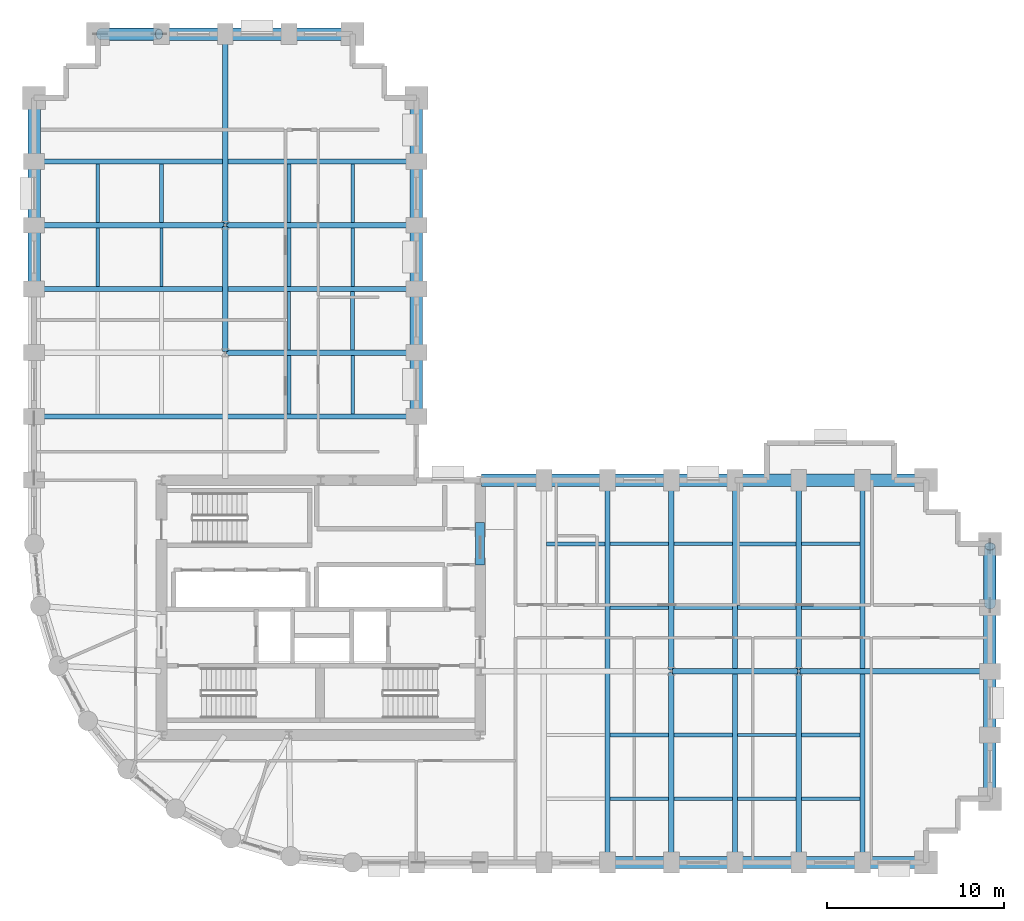
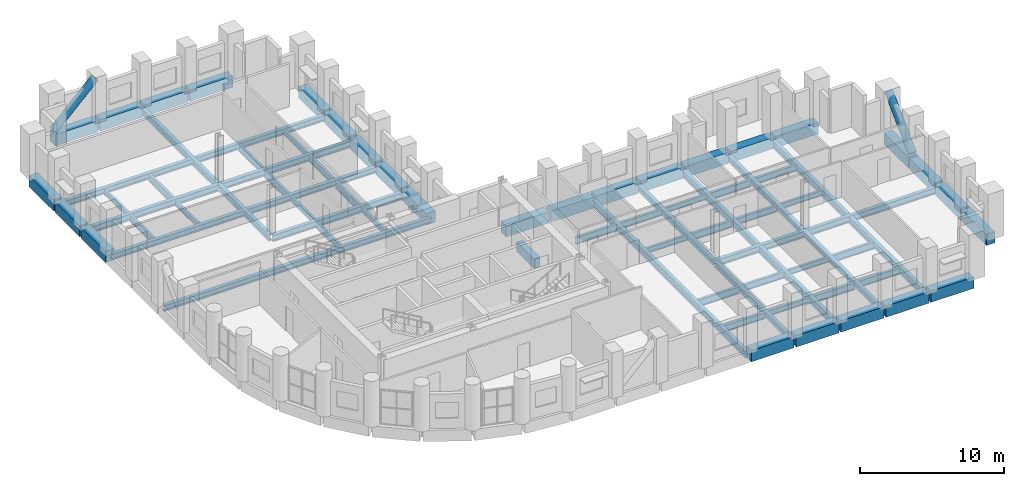
# One storey, part 6 of 13: 75 beams, 2 members.
"""IFC4 building model written with IfcOpenShell, lengths in metres."""

from ifc_helpers import new_model, si_unit, direction, frame, origin, origin_2d, place, context, subcontext, project, spatial, rectangle, hollow_circle, i_section, extrude, material, material_profile, profile_set, type_object, element, save


model = new_model("IFC4")

# Units and contexts
model_context = context("Model", 3, precision=1e-05, world=origin(), true_north=direction((0.0, 1.0)))
body_context = subcontext(model_context, "Body", "Model", "MODEL_VIEW")
ifc_project = project(units=[si_unit("LENGTHUNIT", "METRE"), si_unit("AREAUNIT", "SQUARE_METRE"), si_unit("VOLUMEUNIT", "CUBIC_METRE"), si_unit("PLANEANGLEUNIT", "RADIAN"), si_unit("MASSUNIT", "GRAM", prefix="KILO")], contexts=[model_context])

# Site, building, storey
site_placement = place(None, origin())
site = spatial("IfcSite", under=ifc_project, at=site_placement, CompositionType="ELEMENT")
building_placement = place(site_placement, origin())
building = spatial("IfcBuilding", under=site, at=building_placement, Name="Solnavia Interchange Tower", CompositionType="ELEMENT")
storey_placement = place(building_placement, frame((0.0, 0.0, 39.60009765625)))
storey = spatial("IfcBuildingStorey", under=building, at=storey_placement, Name="L09", CompositionType="ELEMENT", Elevation=39.60009765625)

# Beams
ifc_material_1 = material(Name="Concrete C50/60", Category="concrete")
ifc_material_profile_1 = material_profile(ifc_material_1, rectangle(XDim=0.5, YDim=0.800048828125, at=origin_2d()), Name="RC 500x800")
ifc_profile_set_1 = profile_set([ifc_material_profile_1], Name="Concrete C50/60")
beam_type_1 = type_object("IfcBeamType", Name="Beam-Coupling-RC500x800", PredefinedType="LINTEL", material=ifc_profile_set_1)
beam_1_placement = place(storey_placement, frame((32.39990234375, 20.39990234375, -0.400146484375), z_axis=(0.0, 1.0, 0.0), x_axis=(-1.0, 0.0, 0.0)))
element("IfcBeam", 1, at=beam_1_placement, inside=storey, type_object=beam_type_1, Name="CPB-L09-E2 Core coupling lintel beam", PredefinedType="LINTEL", context=body_context, shape_type="SweptSolid", body=[
    extrude(rectangle(XDim=0.5, YDim=0.800048828125, at=origin_2d()), origin(), (0.0, 0.0, 1.0), 2.400146484375),
])
ifc_material_2 = material(Name="Steel S460", Category="steel")
ifc_material_profile_2 = material_profile(ifc_material_2, i_section(OverallWidth=0.300048828125, OverallDepth=0.550048828125, WebThickness=0.014892578125, FlangeThickness=0.029052734375, FilletRadius=0.027099609375, at=origin_2d()), Name="HEB 550")
ifc_profile_set_2 = profile_set([ifc_material_profile_2], Name="Steel S460")
beam_type_2 = type_object("IfcBeamType", Name="Beam-Girder-HEB550", PredefinedType="BEAM", material=ifc_profile_set_2)
beam_2_placement = place(storey_placement, frame((43.280029296875, 14.39990234375, -0.525146484375), z_axis=(1.0, 0.0, 0.0), x_axis=(0.0, 1.0, 0.0)))
element("IfcBeam", 2, at=beam_2_placement, inside=storey, type_object=beam_type_2, Name="GRD-L09-ES02 East wing spine girder", PredefinedType="BEAM", context=body_context, shape_type="SweptSolid", body=[
    extrude(i_section(OverallWidth=0.300048828125, OverallDepth=0.550048828125, WebThickness=0.014892578125, FlangeThickness=0.029052734375, FilletRadius=0.027099609375, at=origin_2d()), origin(), (0.0, 0.0, 1.0), 7.0400390625),
])
beam_3_placement = place(storey_placement, frame((50.47998046875, 14.39990234375, -0.525146484375), z_axis=(1.0, 0.0, 0.0), x_axis=(0.0, 1.0, 0.0)))
element("IfcBeam", 3, at=beam_3_placement, inside=storey, type_object=beam_type_2, Name="GRD-L09-ES03 East wing spine girder", PredefinedType="BEAM", context=body_context, shape_type="SweptSolid", body=[
    extrude(i_section(OverallWidth=0.300048828125, OverallDepth=0.550048828125, WebThickness=0.014892578125, FlangeThickness=0.029052734375, FilletRadius=0.027099609375, at=origin_2d()), origin(), (0.0, 0.0, 1.0), 10.64013671875),
])
beam_4_placement = place(storey_placement, frame((18.0, 32.47998046875, -0.525146484375), z_axis=(0.0, 1.0, 0.0), x_axis=(-1.0, 0.0, 0.0)))
element("IfcBeam", 4, at=beam_4_placement, inside=storey, type_object=beam_type_2, Name="GRD-L09-NS13 North wing spine girder", PredefinedType="BEAM", context=body_context, shape_type="SweptSolid", body=[
    extrude(i_section(OverallWidth=0.300048828125, OverallDepth=0.550048828125, WebThickness=0.014892578125, FlangeThickness=0.029052734375, FilletRadius=0.027099609375, at=origin_2d()), origin(), (0.0, 0.0, 1.0), 7.0400390625),
])
beam_5_placement = place(storey_placement, frame((18.0, 39.679931640625, -0.525146484375), z_axis=(0.0, 1.0, 0.0), x_axis=(-1.0, 0.0, 0.0)))
element("IfcBeam", 5, at=beam_5_placement, inside=storey, type_object=beam_type_2, Name="GRD-L09-NS14 North wing spine girder", PredefinedType="BEAM", context=body_context, shape_type="SweptSolid", body=[
    extrude(i_section(OverallWidth=0.300048828125, OverallDepth=0.550048828125, WebThickness=0.014892578125, FlangeThickness=0.029052734375, FilletRadius=0.027099609375, at=origin_2d()), origin(), (0.0, 0.0, 1.0), 10.64013671875),
])
for number, where, z_axis, x_axis, name in (
    (6, (18.080078125, 32.39990234375, -0.525146484375), (1.0, 0.0, 0.0), (0.0, 1.0, 0.0), "GRD-L09-NW17 North wing primary floor girder"),
    (7, (7.280029296875, 39.60009765625, -0.525146484375), (1.0, 0.0, 0.0), (0.0, 1.0, 0.0), "GRD-L09-NW19 North wing primary floor girder"),
    (8, (18.080078125, 39.60009765625, -0.525146484375), (1.0, 0.0, 0.0), (0.0, 1.0, 0.0), "GRD-L09-NW20 North wing primary floor girder"),
):
    element("IfcBeam", number, at=place(storey_placement, frame(where, z_axis=z_axis, x_axis=x_axis)), inside=storey, type_object=beam_type_2, Name=name, PredefinedType="BEAM", context=body_context, shape_type="SweptSolid", body=[
        extrude(i_section(OverallWidth=0.300048828125, OverallDepth=0.550048828125, WebThickness=0.014892578125, FlangeThickness=0.029052734375, FilletRadius=0.027099609375, at=origin_2d()), origin(), (0.0, 0.0, 1.0), 10.639892578125),
    ])
ifc_material_3 = material(Name="Steel S355", Category="steel")
ifc_material_profile_3 = material_profile(ifc_material_3, i_section(OverallWidth=0.18994140625, OverallDepth=0.449951171875, WebThickness=0.009521484375, FlangeThickness=0.0146484375, FilletRadius=0.02099609375, at=origin_2d()), Name="IPE 450")
ifc_profile_set_3 = profile_set([ifc_material_profile_3], Name="Steel S355")
beam_type_3 = type_object("IfcBeamType", Name="Beam-Joist-IPE450", PredefinedType="JOIST", material=ifc_profile_set_3)
beam_6_placement = place(storey_placement, frame((43.35009765625, 7.199951171875, -0.47509765625), z_axis=(1.0, 0.0, 0.0), x_axis=(0.0, 1.0, 0.0)))
element("IfcBeam", 9, at=beam_6_placement, inside=storey, type_object=beam_type_3, Name="JST-L09-E03 East wing secondary joist", PredefinedType="JOIST", context=body_context, shape_type="SweptSolid", body=[
    extrude(i_section(OverallWidth=0.18994140625, OverallDepth=0.449951171875, WebThickness=0.009521484375, FlangeThickness=0.0146484375, FilletRadius=0.02099609375, at=origin_2d()), origin(), (0.0, 0.0, 1.0), 3.2998046875),
])
for number, where, z_axis, x_axis, name in (
    (10, (46.949951171875, 10.800048828125, -0.47509765625), (1.0, 0.0, 0.0), (0.0, 1.0, 0.0), "JST-L09-E09 East wing secondary joist"),
    (11, (39.75, 18.0, -0.47509765625), (1.0, 0.0, 0.0), (0.0, 1.0, 0.0), "JST-L09-E12 East wing secondary joist"),
    (12, (50.550048828125, 18.0, -0.47509765625), (1.0, 0.0, 0.0), (0.0, 1.0, 0.0), "JST-L09-E15 East wing secondary joist"),
):
    element("IfcBeam", number, at=place(storey_placement, frame(where, z_axis=z_axis, x_axis=x_axis)), inside=storey, type_object=beam_type_3, Name=name, PredefinedType="JOIST", context=body_context, shape_type="SweptSolid", body=[
        extrude(i_section(OverallWidth=0.18994140625, OverallDepth=0.449951171875, WebThickness=0.009521484375, FlangeThickness=0.0146484375, FilletRadius=0.02099609375, at=origin_2d()), origin(), (0.0, 0.0, 1.0), 3.300048828125),
    ])
beam_7_placement = place(storey_placement, frame((43.35009765625, 21.60009765625, -0.47509765625), z_axis=(1.0, 0.0, 0.0), x_axis=(0.0, 1.0, 0.0)))
element("IfcBeam", 13, at=beam_7_placement, inside=storey, type_object=beam_type_3, Name="JST-L09-E18 East wing secondary joist", PredefinedType="JOIST", context=body_context, shape_type="SweptSolid", body=[
    extrude(i_section(OverallWidth=0.18994140625, OverallDepth=0.449951171875, WebThickness=0.009521484375, FlangeThickness=0.0146484375, FilletRadius=0.02099609375, at=origin_2d()), origin(), (0.0, 0.0, 1.0), 3.2998046875),
])
for number, where, z_axis, x_axis, name in (
    (14, (10.800048828125, 39.75, -0.47509765625), (0.0, 1.0, 0.0), (-1.0, 0.0, 0.0), "JST-L09-N24 North wing secondary joist"),
    (15, (14.39990234375, 36.14990234375, -0.47509765625), (0.0, 1.0, 0.0), (-1.0, 0.0, 0.0), "JST-L09-N27 North wing secondary joist"),
    (16, (21.60009765625, 32.550048828125, -0.47509765625), (0.0, 1.0, 0.0), (-1.0, 0.0, 0.0), "JST-L09-N30 North wing secondary joist"),
    (17, (25.199951171875, 28.949951171875, -0.47509765625), (0.0, 1.0, 0.0), (-1.0, 0.0, 0.0), "JST-L09-N33 North wing secondary joist"),
    (18, (25.199951171875, 39.75, -0.47509765625), (0.0, 1.0, 0.0), (-1.0, 0.0, 0.0), "JST-L09-N36 North wing secondary joist"),
):
    element("IfcBeam", number, at=place(storey_placement, frame(where, z_axis=z_axis, x_axis=x_axis)), inside=storey, type_object=beam_type_3, Name=name, PredefinedType="JOIST", context=body_context, shape_type="SweptSolid", body=[
        extrude(i_section(OverallWidth=0.18994140625, OverallDepth=0.449951171875, WebThickness=0.009521484375, FlangeThickness=0.0146484375, FilletRadius=0.02099609375, at=origin_2d()), origin(), (0.0, 0.0, 1.0), 3.300048828125),
    ])
ifc_material_profile_4 = material_profile(ifc_material_3, i_section(OverallWidth=0.2099609375, OverallDepth=0.550048828125, WebThickness=0.010986328125, FlangeThickness=0.01708984375, FilletRadius=0.02392578125, at=origin_2d()), Name="IPE 550")
ifc_profile_set_4 = profile_set([ifc_material_profile_4], Name="Steel S355")
beam_type_4 = type_object("IfcBeamType", Name="Beam-Joist-IPE550", PredefinedType="JOIST", material=ifc_profile_set_4)
for number, where, z_axis, x_axis, name in (
    (19, (39.75, 7.199951171875, -0.525146484375), (1.0, 0.0, 0.0), (0.0, 1.0, 0.0), "JST-L09-E02 East wing secondary joist"),
    (20, (50.550048828125, 7.199951171875, -0.525146484375), (1.0, 0.0, 0.0), (0.0, 1.0, 0.0), "JST-L09-E05 East wing secondary joist"),
):
    element("IfcBeam", number, at=place(storey_placement, frame(where, z_axis=z_axis, x_axis=x_axis)), inside=storey, type_object=beam_type_4, Name=name, PredefinedType="JOIST", context=body_context, shape_type="SweptSolid", body=[
        extrude(i_section(OverallWidth=0.2099609375, OverallDepth=0.550048828125, WebThickness=0.010986328125, FlangeThickness=0.01708984375, FilletRadius=0.02392578125, at=origin_2d()), origin(), (0.0, 0.0, 1.0), 3.300048828125),
    ])
beam_8_placement = place(storey_placement, frame((43.35009765625, 10.800048828125, -0.525146484375), z_axis=(1.0, 0.0, 0.0), x_axis=(0.0, 1.0, 0.0)))
element("IfcBeam", 21, at=beam_8_placement, inside=storey, type_object=beam_type_4, Name="JST-L09-E08 East wing secondary joist", PredefinedType="JOIST", context=body_context, shape_type="SweptSolid", body=[
    extrude(i_section(OverallWidth=0.2099609375, OverallDepth=0.550048828125, WebThickness=0.010986328125, FlangeThickness=0.01708984375, FilletRadius=0.02392578125, at=origin_2d()), origin(), (0.0, 0.0, 1.0), 3.2998046875),
])
for number, where, z_axis, x_axis, name in (
    (22, (46.949951171875, 18.0, -0.525146484375), (1.0, 0.0, 0.0), (0.0, 1.0, 0.0), "JST-L09-E14 East wing secondary joist"),
    (23, (39.75, 21.60009765625, -0.525146484375), (1.0, 0.0, 0.0), (0.0, 1.0, 0.0), "JST-L09-E17 East wing secondary joist"),
    (24, (50.550048828125, 21.60009765625, -0.525146484375), (1.0, 0.0, 0.0), (0.0, 1.0, 0.0), "JST-L09-E20 East wing secondary joist"),
    (25, (10.800048828125, 36.14990234375, -0.525146484375), (0.0, 1.0, 0.0), (-1.0, 0.0, 0.0), "JST-L09-N23 North wing secondary joist"),
    (26, (21.60009765625, 28.949951171875, -0.525146484375), (0.0, 1.0, 0.0), (-1.0, 0.0, 0.0), "JST-L09-N29 North wing secondary joist"),
    (27, (21.60009765625, 39.75, -0.525146484375), (0.0, 1.0, 0.0), (-1.0, 0.0, 0.0), "JST-L09-N32 North wing secondary joist"),
    (28, (25.199951171875, 36.14990234375, -0.525146484375), (0.0, 1.0, 0.0), (-1.0, 0.0, 0.0), "JST-L09-N35 North wing secondary joist"),
):
    element("IfcBeam", number, at=place(storey_placement, frame(where, z_axis=z_axis, x_axis=x_axis)), inside=storey, type_object=beam_type_4, Name=name, PredefinedType="JOIST", context=body_context, shape_type="SweptSolid", body=[
        extrude(i_section(OverallWidth=0.2099609375, OverallDepth=0.550048828125, WebThickness=0.010986328125, FlangeThickness=0.01708984375, FilletRadius=0.02392578125, at=origin_2d()), origin(), (0.0, 0.0, 1.0), 3.300048828125),
    ])
ifc_material_profile_5 = material_profile(ifc_material_3, i_section(OverallWidth=0.219970703125, OverallDepth=0.60009765625, WebThickness=0.011962890625, FlangeThickness=0.01904296875, FilletRadius=0.02392578125, at=origin_2d()), Name="IPE 600")
ifc_profile_set_5 = profile_set([ifc_material_profile_5], Name="Steel S355")
beam_type_5 = type_object("IfcBeamType", Name="Beam-Joist-IPE600", PredefinedType="JOIST", material=ifc_profile_set_5)
for number, where, z_axis, x_axis, name in (
    (29, (46.949951171875, 7.199951171875, -0.550048828125), (1.0, 0.0, 0.0), (0.0, 1.0, 0.0), "JST-L09-E04 East wing secondary joist"),
    (30, (39.75, 10.800048828125, -0.550048828125), (1.0, 0.0, 0.0), (0.0, 1.0, 0.0), "JST-L09-E07 East wing secondary joist"),
    (31, (50.550048828125, 10.800048828125, -0.550048828125), (1.0, 0.0, 0.0), (0.0, 1.0, 0.0), "JST-L09-E10 East wing secondary joist"),
):
    element("IfcBeam", number, at=place(storey_placement, frame(where, z_axis=z_axis, x_axis=x_axis)), inside=storey, type_object=beam_type_5, Name=name, PredefinedType="JOIST", context=body_context, shape_type="SweptSolid", body=[
        extrude(i_section(OverallWidth=0.219970703125, OverallDepth=0.60009765625, WebThickness=0.011962890625, FlangeThickness=0.01904296875, FilletRadius=0.02392578125, at=origin_2d()), origin(), (0.0, 0.0, 1.0), 3.300048828125),
    ])
beam_9_placement = place(storey_placement, frame((43.35009765625, 18.0, -0.550048828125), z_axis=(1.0, 0.0, 0.0), x_axis=(0.0, 1.0, 0.0)))
element("IfcBeam", 32, at=beam_9_placement, inside=storey, type_object=beam_type_5, Name="JST-L09-E13 East wing secondary joist", PredefinedType="JOIST", context=body_context, shape_type="SweptSolid", body=[
    extrude(i_section(OverallWidth=0.219970703125, OverallDepth=0.60009765625, WebThickness=0.011962890625, FlangeThickness=0.01904296875, FilletRadius=0.02392578125, at=origin_2d()), origin(), (0.0, 0.0, 1.0), 3.2998046875),
])
for number, where, z_axis, x_axis, name in (
    (33, (36.14990234375, 21.60009765625, -0.550048828125), (1.0, 0.0, 0.0), (0.0, 1.0, 0.0), "JST-L09-E16 East wing secondary joist"),
    (34, (46.949951171875, 21.60009765625, -0.550048828125), (1.0, 0.0, 0.0), (0.0, 1.0, 0.0), "JST-L09-E19 East wing secondary joist"),
    (35, (14.39990234375, 39.75, -0.550048828125), (0.0, 1.0, 0.0), (-1.0, 0.0, 0.0), "JST-L09-N28 North wing secondary joist"),
    (36, (21.60009765625, 36.14990234375, -0.550048828125), (0.0, 1.0, 0.0), (-1.0, 0.0, 0.0), "JST-L09-N31 North wing secondary joist"),
    (37, (25.199951171875, 32.550048828125, -0.550048828125), (0.0, 1.0, 0.0), (-1.0, 0.0, 0.0), "JST-L09-N34 North wing secondary joist"),
):
    element("IfcBeam", number, at=place(storey_placement, frame(where, z_axis=z_axis, x_axis=x_axis)), inside=storey, type_object=beam_type_5, Name=name, PredefinedType="JOIST", context=body_context, shape_type="SweptSolid", body=[
        extrude(i_section(OverallWidth=0.219970703125, OverallDepth=0.60009765625, WebThickness=0.011962890625, FlangeThickness=0.01904296875, FilletRadius=0.02392578125, at=origin_2d()), origin(), (0.0, 0.0, 1.0), 3.300048828125),
    ])
ifc_material_profile_6 = material_profile(ifc_material_3, i_section(OverallWidth=0.300048828125, OverallDepth=0.489990234375, WebThickness=0.011962890625, FlangeThickness=0.02294921875, FilletRadius=0.027099609375, at=origin_2d()), Name="HEA 500")
ifc_profile_set_6 = profile_set([ifc_material_profile_6], Name="Steel S355")
beam_type_6 = type_object("IfcBeamType", Name="Beam-Primary-HEA500", PredefinedType="BEAM", material=ifc_profile_set_6)
for number, where, z_axis, x_axis, name in (
    (38, (43.199951171875, 3.679931640625, -0.4951171875), (0.0, 1.0, 0.0), (-1.0, 0.0, 0.0), "GRD-L09-EW06 East wing primary floor girder"),
    (39, (43.199951171875, 14.47998046875, -0.4951171875), (0.0, 1.0, 0.0), (-1.0, 0.0, 0.0), "GRD-L09-EW07 East wing primary floor girder"),
    (40, (50.39990234375, 3.679931640625, -0.4951171875), (0.0, 1.0, 0.0), (-1.0, 0.0, 0.0), "GRD-L09-EW09 East wing primary floor girder"),
    (41, (50.39990234375, 14.47998046875, -0.4951171875), (0.0, 1.0, 0.0), (-1.0, 0.0, 0.0), "GRD-L09-EW10 East wing primary floor girder"),
):
    element("IfcBeam", number, at=place(storey_placement, frame(where, z_axis=z_axis, x_axis=x_axis)), inside=storey, type_object=beam_type_6, Name=name, PredefinedType="BEAM", context=body_context, shape_type="SweptSolid", body=[
        extrude(i_section(OverallWidth=0.300048828125, OverallDepth=0.489990234375, WebThickness=0.011962890625, FlangeThickness=0.02294921875, FilletRadius=0.027099609375, at=origin_2d()), origin(), (0.0, 0.0, 1.0), 10.64013671875),
    ])
for number, where, z_axis, x_axis, name in (
    (42, (7.280029296875, 28.800048828125, -0.4951171875), (1.0, 0.0, 0.0), (0.0, 1.0, 0.0), "GRD-L09-NW15 North wing primary floor girder"),
    (43, (7.280029296875, 36.0, -0.4951171875), (1.0, 0.0, 0.0), (0.0, 1.0, 0.0), "GRD-L09-NW18 North wing primary floor girder"),
    (44, (7.280029296875, 43.199951171875, -0.4951171875), (1.0, 0.0, 0.0), (0.0, 1.0, 0.0), "GRD-L09-NW21 North wing primary floor girder"),
):
    element("IfcBeam", number, at=place(storey_placement, frame(where, z_axis=z_axis, x_axis=x_axis)), inside=storey, type_object=beam_type_6, Name=name, PredefinedType="BEAM", context=body_context, shape_type="SweptSolid", body=[
        extrude(i_section(OverallWidth=0.300048828125, OverallDepth=0.489990234375, WebThickness=0.011962890625, FlangeThickness=0.02294921875, FilletRadius=0.027099609375, at=origin_2d()), origin(), (0.0, 0.0, 1.0), 21.43994140625),
    ])
ifc_material_profile_7 = material_profile(ifc_material_3, i_section(OverallWidth=0.300048828125, OverallDepth=0.590087890625, WebThickness=0.012939453125, FlangeThickness=0.02490234375, FilletRadius=0.027099609375, at=origin_2d()), Name="HEA 600")
ifc_profile_set_7 = profile_set([ifc_material_profile_7], Name="Steel S355")
beam_type_7 = type_object("IfcBeamType", Name="Beam-Primary-HEA600", PredefinedType="BEAM", material=ifc_profile_set_7)
for number, where, z_axis, x_axis, name in (
    (45, (39.60009765625, 3.679931640625, -0.545166015625), (0.0, 1.0, 0.0), (-1.0, 0.0, 0.0), "GRD-L09-EW05 East wing primary floor girder"),
    (46, (46.800048828125, 3.679931640625, -0.545166015625), (0.0, 1.0, 0.0), (-1.0, 0.0, 0.0), "GRD-L09-EW08 East wing primary floor girder"),
    (47, (54.0, 3.679931640625, -0.545166015625), (0.0, 1.0, 0.0), (-1.0, 0.0, 0.0), "GRD-L09-EW11 East wing primary floor girder"),
):
    element("IfcBeam", number, at=place(storey_placement, frame(where, z_axis=z_axis, x_axis=x_axis)), inside=storey, type_object=beam_type_7, Name=name, PredefinedType="BEAM", context=body_context, shape_type="SweptSolid", body=[
        extrude(i_section(OverallWidth=0.300048828125, OverallDepth=0.590087890625, WebThickness=0.012939453125, FlangeThickness=0.02490234375, FilletRadius=0.027099609375, at=origin_2d()), origin(), (0.0, 0.0, 1.0), 21.440185546875),
    ])
ifc_material_profile_8 = material_profile(ifc_material_1, rectangle(XDim=0.699951171875, YDim=0.949951171875, at=origin_2d()), Name="RC 700x950")
ifc_profile_set_8 = profile_set([ifc_material_profile_8], Name="Concrete C50/60")
beam_type_8 = type_object("IfcBeamType", Name="Beam-Spandrel-RC700x950", PredefinedType="SPANDREL", material=ifc_profile_set_8)
beam_10_placement = place(storey_placement, frame((39.679931640625, 3.60009765625, -0.47509765625), z_axis=(1.0, 0.0, 0.0), x_axis=(0.0, 1.0, 0.0)))
element("IfcBeam", 48, at=beam_10_placement, inside=storey, type_object=beam_type_8, Name="SPB-L09-13 Framed-tube perimeter spandrel beam", PredefinedType="SPANDREL", context=body_context, shape_type="SweptSolid", body=[
    extrude(rectangle(XDim=0.699951171875, YDim=0.949951171875, at=origin_2d()), origin(), (0.0, 0.0, 1.0), 3.440185546875),
])
beam_11_placement = place(storey_placement, frame((43.280029296875, 3.60009765625, -0.47509765625), z_axis=(1.0, 0.0, 0.0), x_axis=(0.0, 1.0, 0.0)))
element("IfcBeam", 49, at=beam_11_placement, inside=storey, type_object=beam_type_8, Name="SPB-L09-14 Framed-tube perimeter spandrel beam", PredefinedType="SPANDREL", context=body_context, shape_type="SweptSolid", body=[
    extrude(rectangle(XDim=0.699951171875, YDim=0.949951171875, at=origin_2d()), origin(), (0.0, 0.0, 1.0), 3.43994140625),
])
beam_12_placement = place(storey_placement, frame((46.8798828125, 3.60009765625, -0.47509765625), z_axis=(1.0, 0.0, 0.0), x_axis=(0.0, 1.0, 0.0)))
element("IfcBeam", 50, at=beam_12_placement, inside=storey, type_object=beam_type_8, Name="SPB-L09-15 Framed-tube perimeter spandrel beam", PredefinedType="SPANDREL", context=body_context, shape_type="SweptSolid", body=[
    extrude(rectangle(XDim=0.699951171875, YDim=0.949951171875, at=origin_2d()), origin(), (0.0, 0.0, 1.0), 3.440185546875),
])
for number, where, z_axis, x_axis, name in (
    (51, (50.47998046875, 3.60009765625, -0.47509765625), (1.0, 0.0, 0.0), (0.0, 1.0, 0.0), "SPB-L09-16 Framed-tube perimeter spandrel beam"),
    (52, (54.080078125, 3.60009765625, -0.47509765625), (1.0, 0.0, 0.0), (0.0, 1.0, 0.0), "SPB-L09-17 Framed-tube perimeter spandrel beam"),
    (53, (61.199951171875, 7.280029296875, -0.47509765625), (0.0, 1.0, 0.0), (-1.0, 0.0, 0.0), "SPB-L09-18 Framed-tube perimeter spandrel beam"),
):
    element("IfcBeam", number, at=place(storey_placement, frame(where, z_axis=z_axis, x_axis=x_axis)), inside=storey, type_object=beam_type_8, Name=name, PredefinedType="SPANDREL", context=body_context, shape_type="SweptSolid", body=[
        extrude(rectangle(XDim=0.699951171875, YDim=0.949951171875, at=origin_2d()), origin(), (0.0, 0.0, 1.0), 3.43994140625),
    ])
beam_13_placement = place(storey_placement, frame((61.199951171875, 10.8798828125, -0.47509765625), z_axis=(0.0, 1.0, 0.0), x_axis=(-1.0, 0.0, 0.0)))
element("IfcBeam", 54, at=beam_13_placement, inside=storey, type_object=beam_type_8, Name="SPB-L09-19 Framed-tube perimeter spandrel beam", PredefinedType="SPANDREL", context=body_context, shape_type="SweptSolid", body=[
    extrude(rectangle(XDim=0.699951171875, YDim=0.949951171875, at=origin_2d()), origin(), (0.0, 0.0, 1.0), 3.440185546875),
])
for number, where, z_axis, x_axis, name in (
    (55, (61.199951171875, 14.47998046875, -0.47509765625), (0.0, 1.0, 0.0), (-1.0, 0.0, 0.0), "SPB-L09-20 Framed-tube perimeter spandrel beam"),
    (56, (61.199951171875, 18.080078125, -0.47509765625), (0.0, 1.0, 0.0), (-1.0, 0.0, 0.0), "SPB-L09-21 Framed-tube perimeter spandrel beam"),
    (57, (57.52001953125, 25.199951171875, -0.47509765625), (-1.0, 0.0, 0.0), (0.0, -1.0, 0.0), "SPB-L09-22 Framed-tube perimeter spandrel beam"),
    (58, (53.919921875, 25.199951171875, -0.47509765625), (-1.0, 0.0, 0.0), (0.0, -1.0, 0.0), "SPB-L09-23 Framed-tube perimeter spandrel beam"),
):
    element("IfcBeam", number, at=place(storey_placement, frame(where, z_axis=z_axis, x_axis=x_axis)), inside=storey, type_object=beam_type_8, Name=name, PredefinedType="SPANDREL", context=body_context, shape_type="SweptSolid", body=[
        extrude(rectangle(XDim=0.699951171875, YDim=0.949951171875, at=origin_2d()), origin(), (0.0, 0.0, 1.0), 3.43994140625),
    ])
beam_14_placement = place(storey_placement, frame((50.320068359375, 25.199951171875, -0.47509765625), z_axis=(-1.0, 0.0, 0.0), x_axis=(0.0, -1.0, 0.0)))
element("IfcBeam", 59, at=beam_14_placement, inside=storey, type_object=beam_type_8, Name="SPB-L09-24 Framed-tube perimeter spandrel beam", PredefinedType="SPANDREL", context=body_context, shape_type="SweptSolid", body=[
    extrude(rectangle(XDim=0.699951171875, YDim=0.949951171875, at=origin_2d()), origin(), (0.0, 0.0, 1.0), 3.440185546875),
])
beam_15_placement = place(storey_placement, frame((46.719970703125, 25.199951171875, -0.47509765625), z_axis=(-1.0, 0.0, 0.0), x_axis=(0.0, -1.0, 0.0)))
element("IfcBeam", 60, at=beam_15_placement, inside=storey, type_object=beam_type_8, Name="SPB-L09-25 Framed-tube perimeter spandrel beam", PredefinedType="SPANDREL", context=body_context, shape_type="SweptSolid", body=[
    extrude(rectangle(XDim=0.699951171875, YDim=0.949951171875, at=origin_2d()), origin(), (0.0, 0.0, 1.0), 3.43994140625),
])
beam_16_placement = place(storey_placement, frame((43.1201171875, 25.199951171875, -0.47509765625), z_axis=(-1.0, 0.0, 0.0), x_axis=(0.0, -1.0, 0.0)))
element("IfcBeam", 61, at=beam_16_placement, inside=storey, type_object=beam_type_8, Name="SPB-L09-26 Framed-tube perimeter spandrel beam", PredefinedType="SPANDREL", context=body_context, shape_type="SweptSolid", body=[
    extrude(rectangle(XDim=0.699951171875, YDim=0.949951171875, at=origin_2d()), origin(), (0.0, 0.0, 1.0), 3.440185546875),
])
for number, where, z_axis, x_axis, name in (
    (62, (39.52001953125, 25.199951171875, -0.47509765625), (-1.0, 0.0, 0.0), (0.0, -1.0, 0.0), "SPB-L09-27 Framed-tube perimeter spandrel beam"),
    (63, (35.919921875, 25.199951171875, -0.47509765625), (-1.0, 0.0, 0.0), (0.0, -1.0, 0.0), "SPB-L09-28 Framed-tube perimeter spandrel beam"),
):
    element("IfcBeam", number, at=place(storey_placement, frame(where, z_axis=z_axis, x_axis=x_axis)), inside=storey, type_object=beam_type_8, Name=name, PredefinedType="SPANDREL", context=body_context, shape_type="SweptSolid", body=[
        extrude(rectangle(XDim=0.699951171875, YDim=0.949951171875, at=origin_2d()), origin(), (0.0, 0.0, 1.0), 3.43994140625),
    ])
beam_17_placement = place(storey_placement, frame((28.800048828125, 28.8798828125, -0.47509765625), z_axis=(0.0, 1.0, 0.0), x_axis=(-1.0, 0.0, 0.0)))
element("IfcBeam", 64, at=beam_17_placement, inside=storey, type_object=beam_type_8, Name="SPB-L09-29 Framed-tube perimeter spandrel beam", PredefinedType="SPANDREL", context=body_context, shape_type="SweptSolid", body=[
    extrude(rectangle(XDim=0.699951171875, YDim=0.949951171875, at=origin_2d()), origin(), (0.0, 0.0, 1.0), 3.440185546875),
])
for number, where, z_axis, x_axis, name in (
    (65, (28.800048828125, 32.47998046875, -0.47509765625), (0.0, 1.0, 0.0), (-1.0, 0.0, 0.0), "SPB-L09-30 Framed-tube perimeter spandrel beam"),
    (66, (28.800048828125, 36.080078125, -0.47509765625), (0.0, 1.0, 0.0), (-1.0, 0.0, 0.0), "SPB-L09-31 Framed-tube perimeter spandrel beam"),
):
    element("IfcBeam", number, at=place(storey_placement, frame(where, z_axis=z_axis, x_axis=x_axis)), inside=storey, type_object=beam_type_8, Name=name, PredefinedType="SPANDREL", context=body_context, shape_type="SweptSolid", body=[
        extrude(rectangle(XDim=0.699951171875, YDim=0.949951171875, at=origin_2d()), origin(), (0.0, 0.0, 1.0), 3.43994140625),
    ])
beam_18_placement = place(storey_placement, frame((28.800048828125, 39.679931640625, -0.47509765625), z_axis=(0.0, 1.0, 0.0), x_axis=(-1.0, 0.0, 0.0)))
element("IfcBeam", 67, at=beam_18_placement, inside=storey, type_object=beam_type_8, Name="SPB-L09-32 Framed-tube perimeter spandrel beam", PredefinedType="SPANDREL", context=body_context, shape_type="SweptSolid", body=[
    extrude(rectangle(XDim=0.699951171875, YDim=0.949951171875, at=origin_2d()), origin(), (0.0, 0.0, 1.0), 3.440185546875),
])
beam_19_placement = place(storey_placement, frame((28.800048828125, 43.280029296875, -0.47509765625), z_axis=(0.0, 1.0, 0.0), x_axis=(-1.0, 0.0, 0.0)))
element("IfcBeam", 68, at=beam_19_placement, inside=storey, type_object=beam_type_8, Name="SPB-L09-33 Framed-tube perimeter spandrel beam", PredefinedType="SPANDREL", context=body_context, shape_type="SweptSolid", body=[
    extrude(rectangle(XDim=0.699951171875, YDim=0.949951171875, at=origin_2d()), origin(), (0.0, 0.0, 1.0), 3.43994140625),
])
beam_20_placement = place(storey_placement, frame((25.1201171875, 50.39990234375, -0.47509765625), z_axis=(-1.0, 0.0, 0.0), x_axis=(0.0, -1.0, 0.0)))
element("IfcBeam", 69, at=beam_20_placement, inside=storey, type_object=beam_type_8, Name="SPB-L09-34 Framed-tube perimeter spandrel beam", PredefinedType="SPANDREL", context=body_context, shape_type="SweptSolid", body=[
    extrude(rectangle(XDim=0.699951171875, YDim=0.949951171875, at=origin_2d()), origin(), (0.0, 0.0, 1.0), 3.440185546875),
])
for number, where, z_axis, x_axis, name in (
    (70, (21.52001953125, 50.39990234375, -0.47509765625), (-1.0, 0.0, 0.0), (0.0, -1.0, 0.0), "SPB-L09-35 Framed-tube perimeter spandrel beam"),
    (71, (17.919921875, 50.39990234375, -0.47509765625), (-1.0, 0.0, 0.0), (0.0, -1.0, 0.0), "SPB-L09-36 Framed-tube perimeter spandrel beam"),
):
    element("IfcBeam", number, at=place(storey_placement, frame(where, z_axis=z_axis, x_axis=x_axis)), inside=storey, type_object=beam_type_8, Name=name, PredefinedType="SPANDREL", context=body_context, shape_type="SweptSolid", body=[
        extrude(rectangle(XDim=0.699951171875, YDim=0.949951171875, at=origin_2d()), origin(), (0.0, 0.0, 1.0), 3.43994140625),
    ])
beam_21_placement = place(storey_placement, frame((14.320068359375, 50.39990234375, -0.47509765625), z_axis=(-1.0, 0.0, 0.0), x_axis=(0.0, -1.0, 0.0)))
element("IfcBeam", 72, at=beam_21_placement, inside=storey, type_object=beam_type_8, Name="SPB-L09-37 Framed-tube perimeter spandrel beam", PredefinedType="SPANDREL", context=body_context, shape_type="SweptSolid", body=[
    extrude(rectangle(XDim=0.699951171875, YDim=0.949951171875, at=origin_2d()), origin(), (0.0, 0.0, 1.0), 3.440185546875),
])
beam_22_placement = place(storey_placement, frame((7.199951171875, 46.719970703125, -0.47509765625), z_axis=(0.0, -1.0, 0.0), x_axis=(1.0, 0.0, 0.0)))
element("IfcBeam", 73, at=beam_22_placement, inside=storey, type_object=beam_type_8, Name="SPB-L09-38 Framed-tube perimeter spandrel beam", PredefinedType="SPANDREL", context=body_context, shape_type="SweptSolid", body=[
    extrude(rectangle(XDim=0.699951171875, YDim=0.949951171875, at=origin_2d()), origin(), (0.0, 0.0, 1.0), 3.43994140625),
])
beam_23_placement = place(storey_placement, frame((7.199951171875, 43.1201171875, -0.47509765625), z_axis=(0.0, -1.0, 0.0), x_axis=(1.0, 0.0, 0.0)))
element("IfcBeam", 74, at=beam_23_placement, inside=storey, type_object=beam_type_8, Name="SPB-L09-39 Framed-tube perimeter spandrel beam", PredefinedType="SPANDREL", context=body_context, shape_type="SweptSolid", body=[
    extrude(rectangle(XDim=0.699951171875, YDim=0.949951171875, at=origin_2d()), origin(), (0.0, 0.0, 1.0), 3.440185546875),
])
beam_24_placement = place(storey_placement, frame((7.199951171875, 39.52001953125, -0.47509765625), z_axis=(0.0, -1.0, 0.0), x_axis=(1.0, 0.0, 0.0)))
element("IfcBeam", 75, at=beam_24_placement, inside=storey, type_object=beam_type_8, Name="SPB-L09-40 Framed-tube perimeter spandrel beam", PredefinedType="SPANDREL", context=body_context, shape_type="SweptSolid", body=[
    extrude(rectangle(XDim=0.699951171875, YDim=0.949951171875, at=origin_2d()), origin(), (0.0, 0.0, 1.0), 3.43994140625),
])

# Members
ifc_material_profile_9 = material_profile(ifc_material_2, hollow_circle(Radius=0.304931640625, WallThickness=0.02490234375, at=origin_2d()), Name="CHS 610x25")
ifc_profile_set_9 = profile_set([ifc_material_profile_9], Name="Steel S460")
member_type = type_object("IfcMemberType", Name="Brace-Perim-CHS610", PredefinedType="BRACE", material=ifc_profile_set_9)
for number, where, z_axis, x_axis, name in (
    (76, (61.199951171875, 18.139892578125, 0.179931640625), (0.0, 0.710311792477, 0.703887176661), (-1.0, 0.0, 0.0), "BRC-L09-03 Perimeter tube diagonal brace"),
    (77, (10.93994140625, 50.39990234375, 0.179931640625), (0.710311792477, 0.0, 0.703887176661), (0.0, 1.0, 0.0), "BRC-L09-04 Perimeter tube diagonal brace"),
):
    element("IfcMember", number, at=place(storey_placement, frame(where, z_axis=z_axis, x_axis=x_axis)), inside=storey, type_object=member_type, Name=name, PredefinedType="BRACE", context=body_context, shape_type="SweptSolid", body=[
        extrude(hollow_circle(Radius=0.304931640625, WallThickness=0.02490234375, at=origin_2d()), origin(), (0.0, 0.0, 1.0), 4.674072265625),
    ])

save(model, "model.ifc")
